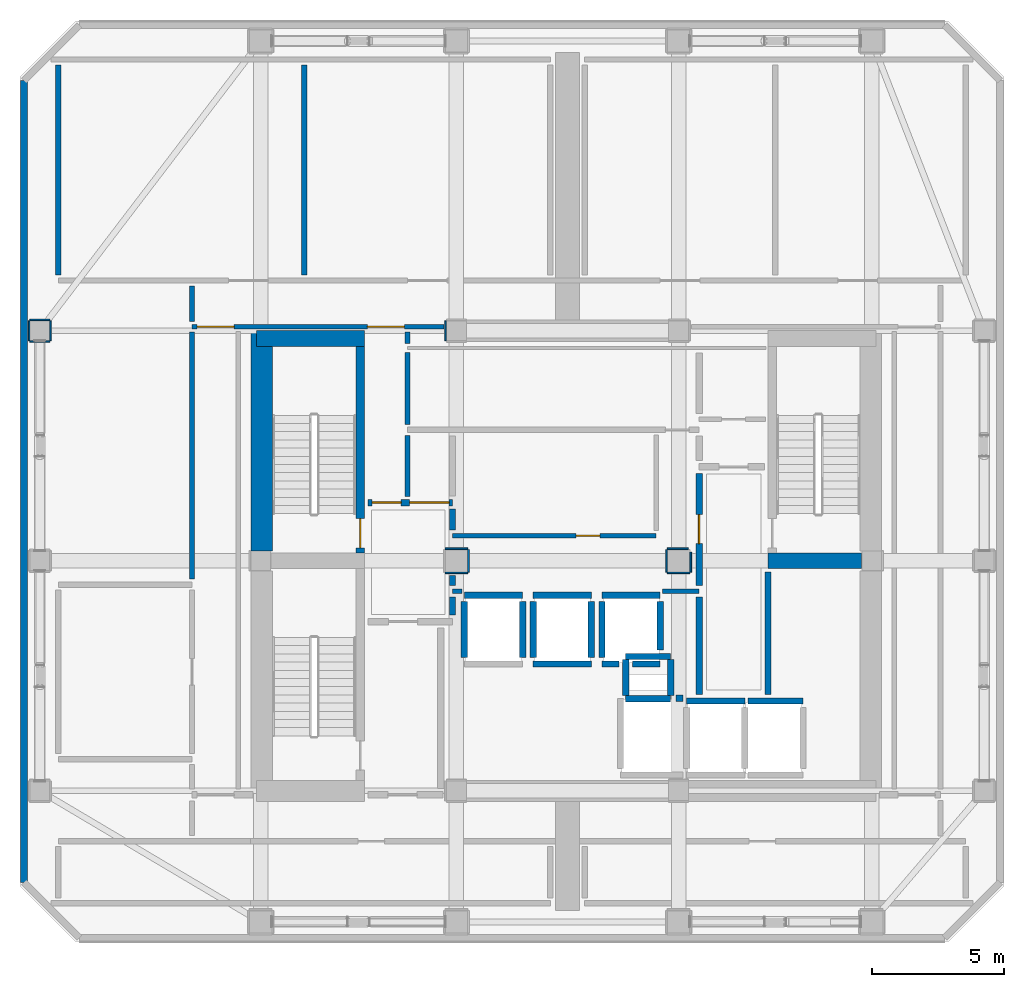
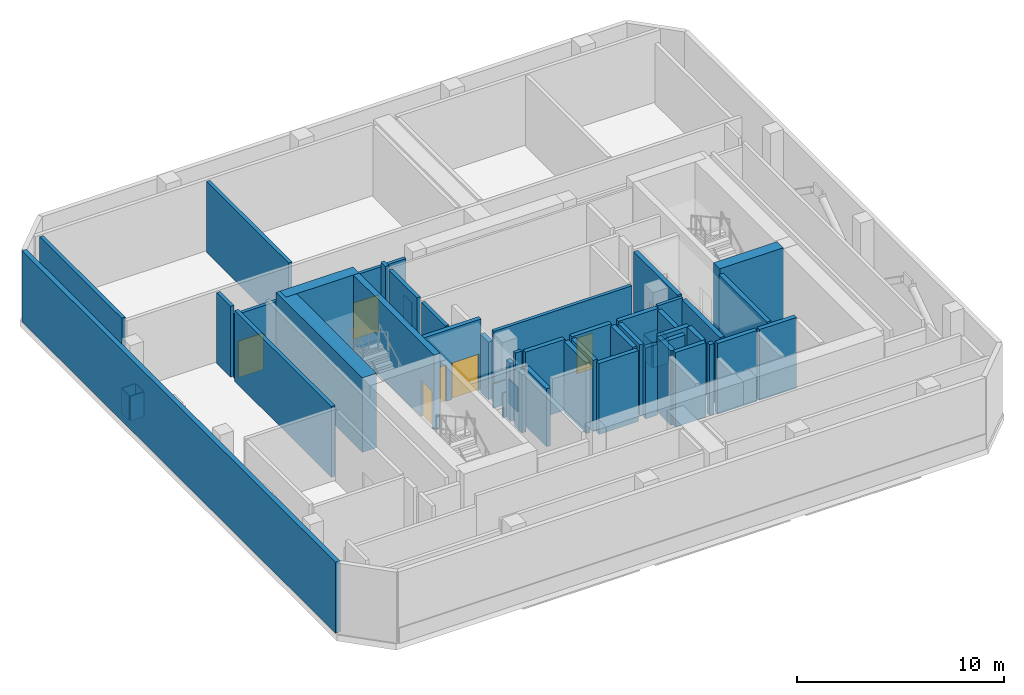
# One storey, part 9 of 13: 54 walls, 7 doors, 7 openings.
"""IFC4 building model written with IfcOpenShell, lengths in metres."""

from ifc_helpers import new_model, si_unit, direction, frame, frame_2d, origin, place, context, subcontext, project, spatial, rectangle, extrude, material, layer, layer_set, type_object, element, fill, save


model = new_model("IFC4")

# Units and contexts
model_context = context("Model", 3, precision=1e-05, world=origin(), true_north=direction((0.0, 1.0)))
body_context = subcontext(model_context, "Body", "Model", "MODEL_VIEW")
ifc_project = project(units=[si_unit("LENGTHUNIT", "METRE"), si_unit("AREAUNIT", "SQUARE_METRE"), si_unit("VOLUMEUNIT", "CUBIC_METRE"), si_unit("PLANEANGLEUNIT", "RADIAN"), si_unit("MASSUNIT", "GRAM", prefix="KILO")], contexts=[model_context])

# Site, building, storey
site_placement = place(None, origin())
site = spatial("IfcSite", under=ifc_project, at=site_placement, CompositionType="ELEMENT")
building_placement = place(site_placement, origin())
building = spatial("IfcBuilding", under=site, at=building_placement, Name="Solanera Arch Residences", CompositionType="ELEMENT")
storey_placement = place(building_placement, frame((0.0, 0.0, 257.840087890625)))
storey = spatial("IfcBuildingStorey", under=building, at=storey_placement, Name="L75", CompositionType="ELEMENT", Elevation=257.840087890625)

# Walls
ifc_material_1 = material(Name="Fire-Rated Gypsum Stud Partition", Category="gypsum")
ifc_layer_1 = layer(ifc_material_1, 0.06005859375)
ifc_layer_set_1 = layer_set([ifc_layer_1], Name="Fire-Rated Gypsum Stud Partition")
wall_type_1 = type_object("IfcWallType", Name="Column Acoustic Furring Wall 60", PredefinedType="PARTITIONING", material=ifc_layer_set_1)
wall_1_placement = place(storey_placement, frame((20.39306640625, 39.02490234375, 0.0), z_axis=(0.0, 0.0, 1.0), x_axis=(0.0, 1.0, 0.0)))
element("IfcWall", 1, at=wall_1_placement, inside=storey, type_object=wall_type_1, Name="L75 Column Furring 3W", PredefinedType="PARTITIONING", context=body_context, shape_type="SweptSolid", body=[
    extrude(rectangle(XDim=0.75, YDim=0.06005859375, at=frame_2d((0.375, 0.0))), origin(), (0.0, 0.0, 1.0), 1.449951171875),
])
for number, where, z_axis, x_axis, name in (
    (2, (20.375, 30.242919921875, 0.0), (0.0, 0.0, 1.0), (1.0, 0.0, 0.0), "L75 Column Furring 7S"),
    (3, (20.375, 31.156982421875, 0.0), (0.0, 0.0, 1.0), (1.0, 0.0, 0.0), "L75 Column Furring 7N"),
    (4, (21.257080078125, 30.27490234375, 0.0), (0.0, 0.0, 1.0), (0.0, 1.0, 0.0), "L75 Column Furring 7E"),
    (5, (28.77490234375, 30.242919921875, 0.0), (0.0, 0.0, 1.0), (1.0, 0.0, 0.0), "L75 Column Furring 8S"),
):
    element("IfcWall", number, at=place(storey_placement, frame(where, z_axis=z_axis, x_axis=x_axis)), inside=storey, type_object=wall_type_1, Name=name, PredefinedType="PARTITIONING", context=body_context, shape_type="SweptSolid", body=[
        extrude(rectangle(XDim=0.85009765625, YDim=0.06005859375, at=frame_2d((0.425048828125, 0.0))), origin(), (0.0, 0.0, 1.0), 1.449951171875),
    ])
wall_2_placement = place(storey_placement, frame((28.77490234375, 31.156982421875, 0.0), z_axis=(0.0, 0.0, 1.0), x_axis=(1.0, 0.0, 0.0)))
element("IfcWall", 6, at=wall_2_placement, inside=storey, type_object=wall_type_1, Name="L75 Column Furring 8N", PredefinedType="PARTITIONING", context=body_context, shape_type="SweptSolid", body=[
    extrude(rectangle(XDim=0.794189453125, YDim=0.06005859375, at=frame_2d((0.39697265625, 0.0))), origin(), (0.0, 0.0, 1.0), 1.449951171875),
])
wall_3_placement = place(storey_placement, frame((28.742919921875, 30.27490234375, 0.0), z_axis=(0.0, 0.0, 1.0), x_axis=(0.0, 1.0, 0.0)))
element("IfcWall", 7, at=wall_3_placement, inside=storey, type_object=wall_type_1, Name="L75 Column Furring 8W", PredefinedType="PARTITIONING", context=body_context, shape_type="SweptSolid", body=[
    extrude(rectangle(XDim=0.85009765625, YDim=0.06005859375, at=frame_2d((0.425048828125, 0.0))), origin(), (0.0, 0.0, 1.0), 1.449951171875),
])
wall_4_placement = place(storey_placement, frame((29.656982421875, 30.27490234375, 0.0), z_axis=(0.0, 0.0, 1.0), x_axis=(0.0, 1.0, 0.0)))
element("IfcWall", 8, at=wall_4_placement, inside=storey, type_object=wall_type_1, Name="L75 Column Furring 8E", PredefinedType="PARTITIONING", context=body_context, shape_type="SweptSolid", body=[
    extrude(rectangle(XDim=0.757080078125, YDim=0.06005859375, at=frame_2d((0.37841796875, 0.0))), origin(), (0.0, 0.0, 1.0), 1.449951171875),
])
for number, where, z_axis, x_axis, name in (
    (9, (4.675048828125, 38.992919921875, 0.0), (0.0, 0.0, 1.0), (1.0, 0.0, 0.0), "L75 Column Furring 21S"),
    (10, (4.675048828125, 39.806884765625, 0.0), (0.0, 0.0, 1.0), (1.0, 0.0, 0.0), "L75 Column Furring 21N"),
    (11, (4.64306640625, 39.02490234375, 0.0), (0.0, 0.0, 1.0), (0.0, 1.0, 0.0), "L75 Column Furring 21W"),
    (12, (5.45703125, 39.02490234375, 0.0), (0.0, 0.0, 1.0), (0.0, 1.0, 0.0), "L75 Column Furring 21E"),
):
    element("IfcWall", number, at=place(storey_placement, frame(where, z_axis=z_axis, x_axis=x_axis)), inside=storey, type_object=wall_type_1, Name=name, PredefinedType="PARTITIONING", context=body_context, shape_type="SweptSolid", body=[
        extrude(rectangle(XDim=0.75, YDim=0.06005859375, at=frame_2d((0.375, 0.0))), origin(), (0.0, 0.0, 1.0), 1.449951171875),
    ])

# Wall, opening, door
ifc_material_2 = material(Name="Concrete C40/50 (f'c = 45 MPa)", Category="concrete")
ifc_layer_2 = layer(ifc_material_2, 0.320068359375)
ifc_layer_set_2 = layer_set([ifc_layer_2], Name="Concrete C40/50 (f'c = 45 MPa)")
wall_type_2 = type_object("IfcWallType", Name="Core Shear Wall CW-320", PredefinedType="SHEAR", material=ifc_layer_set_2)
wall_5_placement = place(storey_placement, frame((17.159912109375, 31.0, 0.0), z_axis=(0.0, 0.0, 1.0), x_axis=(0.0, 1.0, 0.0)))
wall_5 = element("IfcWall", 13, at=wall_5_placement, inside=storey, type_object=wall_type_2, Name="L75 Stair ST-T1 East Shear Wall", PredefinedType="SHEAR", context=body_context, shape_type="SweptSolid", body=[
    extrude(rectangle(XDim=7.800048828125, YDim=0.320068359375, at=frame_2d((3.89990234375, 0.0))), origin(), (0.0, 0.0, 1.0), 4.39990234375),
])
opening_1_placement = place(wall_5_placement, frame((0.18994140625, 0.0, 0.0)))
opening_1 = element("IfcOpeningElement", 14, at=opening_1_placement, cuts=wall_5, Name="Opening DF-01", PredefinedType="OPENING", context=body_context, shape_type="SweptSolid", body=[
    extrude(rectangle(XDim=1.10009765625, YDim=2.14990234375, at=frame_2d((0.550048828125, 1.074951171875))), frame((0.0, 0.169921875, 0.0), z_axis=(0.0, -1.0, 0.0), x_axis=(1.0, 0.0, 0.0)), (0.0, 0.0, 1.0), 0.3401),
])
ifc_material_3 = material(Name="Fire-Rated Architectural Hardwood", Category="wood")
door_type_1 = type_object("IfcDoorType", Name="Stair Exit Fire Door DF-01", OperationType="NOTDEFINED", PredefinedType="DOOR", material=ifc_material_3)
door_1_placement = place(opening_1_placement, origin())
door_1 = element("IfcDoor", 15, at=door_1_placement, inside=storey, type_object=door_type_1, Name="DR-L75-STAIR-ST-T1", OperationType="SINGLE_SWING_LEFT", OverallHeight=2.14990234375, OverallWidth=1.10009765625, PredefinedType="DOOR", context=body_context, shape_type="SweptSolid", body=[
    extrude(rectangle(XDim=1.10009765625, YDim=2.14990234375, at=frame_2d((0.550048828125, 1.074951171875))), frame((0.0, 0.02490234375, 0.0), z_axis=(0.0, -1.0, 0.0), x_axis=(1.0, 0.0, 0.0)), (0.0, 0.0, 1.0), 0.050048828125),
])
fill(opening_1, door_1)

# Walls
ifc_material_4 = material(Name="Concrete C40/50 (f'c = 45 MPa)", Category="concrete")
ifc_layer_3 = layer(ifc_material_4, 0.60009765625)
ifc_layer_set_3 = layer_set([ifc_layer_3], Name="Concrete C40/50 (f'c = 45 MPa)")
wall_type_3 = type_object("IfcWallType", Name="Core Shear Wall CW-600", PredefinedType="SHEAR", material=ifc_layer_set_3)
wall_6_placement = place(storey_placement, frame((13.239990234375, 39.10009765625, 0.0), z_axis=(0.0, 0.0, 1.0), x_axis=(1.0, 0.0, 0.0)))
element("IfcWall", 16, at=wall_6_placement, inside=storey, type_object=wall_type_3, Name="L75 North-West Core Shear Wall", PredefinedType="SHEAR", context=body_context, shape_type="SweptSolid", body=[
    extrude(rectangle(XDim=4.080078125, YDim=0.60009765625, at=frame_2d((2.0400390625, 0.0))), origin(), (0.0, 0.0, 1.0), 4.39990234375),
])
wall_7_placement = place(storey_placement, frame((32.580078125, 30.699951171875, 0.0), z_axis=(0.0, 0.0, 1.0), x_axis=(1.0, 0.0, 0.0)))
element("IfcWall", 17, at=wall_7_placement, inside=storey, type_object=wall_type_3, Name="L75 East Stair Far-Landing Shear Wall", PredefinedType="SHEAR", context=body_context, shape_type="SweptSolid", body=[
    extrude(rectangle(XDim=3.5400390625, YDim=0.60009765625, at=frame_2d((1.77001953125, 0.0))), origin(), (0.0, 0.0, 1.0), 4.39990234375),
])
ifc_material_5 = material(Name="Concrete C40/50 (f'c = 45 MPa)", Category="concrete")
ifc_layer_4 = layer(ifc_material_5, 0.800048828125)
ifc_layer_set_4 = layer_set([ifc_layer_4], Name="Concrete C40/50 (f'c = 45 MPa)")
wall_type_4 = type_object("IfcWallType", Name="Core Shear Wall CW-800", PredefinedType="SHEAR", material=ifc_layer_set_4)
wall_8_placement = place(storey_placement, frame((13.43994140625, 31.080078125, 0.0), z_axis=(0.0, 0.0, 1.0), x_axis=(0.0, 1.0, 0.0)))
element("IfcWall", 18, at=wall_8_placement, inside=storey, type_object=wall_type_4, Name="L75 West Core North Shear Wall", PredefinedType="SHEAR", context=body_context, shape_type="SweptSolid", body=[
    extrude(rectangle(XDim=8.31982421875, YDim=0.800048828125, at=frame_2d((4.159912109375, 0.0))), origin(), (0.0, 0.0, 1.0), 4.39990234375),
])
ifc_material_6 = material(Name="Autoclaved Aerated Concrete Blockwork", Category="masonry")
ifc_layer_5 = layer(ifc_material_6, 0.179931640625)
ifc_layer_set_5 = layer_set([ifc_layer_5], Name="Autoclaved Aerated Concrete Blockwork")
wall_type_5 = type_object("IfcWallType", Name="Corridor Fire Partition 180", PredefinedType="PARTITIONING", material=ifc_layer_set_5)
wall_9_placement = place(storey_placement, frame((20.64990234375, 29.550048828125, 0.0), z_axis=(0.0, 0.0, 1.0), x_axis=(1.0, 0.0, 0.0)))
element("IfcWall", 19, at=wall_9_placement, inside=storey, type_object=wall_type_5, Name="L75 Interior Partition H15 1", PredefinedType="PARTITIONING", context=body_context, shape_type="SweptSolid", body=[
    extrude(rectangle(XDim=0.357177734375, YDim=0.179931640625, at=frame_2d((0.1787109375, 0.0))), origin(), (0.0, 0.0, 1.0), 4.179931640625),
])
wall_10_placement = place(storey_placement, frame((28.593017578125, 29.550048828125, 0.0), z_axis=(0.0, 0.0, 1.0), x_axis=(1.0, 0.0, 0.0)))
element("IfcWall", 20, at=wall_10_placement, inside=storey, type_object=wall_type_5, Name="L75 Interior Partition H15 2", PredefinedType="PARTITIONING", context=body_context, shape_type="SweptSolid", body=[
    extrude(rectangle(XDim=1.382080078125, YDim=0.179931640625, at=frame_2d((0.69091796875, 0.0))), origin(), (0.0, 0.0, 1.0), 4.179931640625),
])

# Wall, opening, door
wall_11_placement = place(storey_placement, frame((20.64990234375, 31.64990234375, 0.0), z_axis=(0.0, 0.0, 1.0), x_axis=(1.0, 0.0, 0.0)))
wall_11 = element("IfcWall", 21, at=wall_11_placement, inside=storey, type_object=wall_type_5, Name="L75 Interior Partition H16", PredefinedType="PARTITIONING", context=body_context, shape_type="SweptSolid", body=[
    extrude(rectangle(XDim=7.7001953125, YDim=0.179931640625, at=frame_2d((3.85009765625, 0.0))), origin(), (0.0, 0.0, 1.0), 4.179931640625),
])
opening_2_placement = place(wall_11_placement, frame((4.673095703125, 0.0, 0.0)))
opening_2 = element("IfcOpeningElement", 22, at=opening_2_placement, cuts=wall_11, Name="Opening DI-02", PredefinedType="OPENING", context=body_context, shape_type="SweptSolid", body=[
    extrude(rectangle(XDim=0.89990234375, YDim=2.10009765625, at=frame_2d((0.449951171875, 1.050048828125))), frame((0.0, 0.10009765625, 0.0), z_axis=(0.0, -1.0, 0.0), x_axis=(1.0, 0.0, 0.0)), (0.0, 0.0, 1.0), 0.1999),
])
ifc_material_7 = material(Name="Fire-Rated Architectural Hardwood", Category="wood")
door_type_2 = type_object("IfcDoorType", Name="Suite Room Swing Door DI-02", OperationType="NOTDEFINED", PredefinedType="DOOR", material=ifc_material_7)
door_2_placement = place(opening_2_placement, origin())
door_2 = element("IfcDoor", 23, at=door_2_placement, inside=storey, type_object=door_type_2, Name="DR-L75-IN-017", OperationType="SINGLE_SWING_LEFT", OverallHeight=2.10009765625, OverallWidth=0.89990234375, PredefinedType="DOOR", context=body_context, shape_type="SweptSolid", body=[
    extrude(rectangle(XDim=0.89990234375, YDim=2.10009765625, at=frame_2d((0.449951171875, 1.050048828125))), frame((0.0, 0.02490234375, 0.0), z_axis=(0.0, -1.0, 0.0), x_axis=(1.0, 0.0, 0.0)), (0.0, 0.0, 1.0), 0.050048828125),
])
fill(opening_2, door_2)

# Wall, openings, doors
wall_12_placement = place(storey_placement, frame((10.800048828125, 39.550048828125, 0.0), z_axis=(0.0, 0.0, 1.0), x_axis=(1.0, 0.0, 0.0)))
wall_12 = element("IfcWall", 24, at=wall_12_placement, inside=storey, type_object=wall_type_5, Name="L75 Interior Partition H18 1", PredefinedType="PARTITIONING", context=body_context, shape_type="SweptSolid", body=[
    extrude(rectangle(XDim=9.52294921875, YDim=0.179931640625, at=frame_2d((4.761474609375, 0.0))), origin(), (0.0, 0.0, 1.0), 3.806884765625),
])
opening_3_placement = place(wall_12_placement, frame((6.635009765625, 0.0, 0.0)))
opening_3 = element("IfcOpeningElement", 25, at=opening_3_placement, cuts=wall_12, Name="Opening DF-03", PredefinedType="OPENING", context=body_context, shape_type="SweptSolid", body=[
    extrude(rectangle(XDim=1.39990234375, YDim=2.14990234375, at=frame_2d((0.699951171875, 1.074951171875))), frame((0.0, 0.10009765625, 0.0), z_axis=(0.0, -1.0, 0.0), x_axis=(1.0, 0.0, 0.0)), (0.0, 0.0, 1.0), 0.1999),
])
opening_4_placement = place(wall_12_placement, frame((0.198974609375, 0.0, 0.0)))
opening_4 = element("IfcOpeningElement", 26, at=opening_4_placement, cuts=wall_12, Name="Opening DF-03", PredefinedType="OPENING", context=body_context, shape_type="SweptSolid", body=[
    extrude(rectangle(XDim=1.39990234375, YDim=2.14990234375, at=frame_2d((0.699951171875, 1.074951171875))), frame((0.0, 0.10009765625, 0.0), z_axis=(0.0, -1.0, 0.0), x_axis=(1.0, 0.0, 0.0)), (0.0, 0.0, 1.0), 0.1999),
])
ifc_material_8 = material(Name="Fire-Rated Architectural Hardwood", Category="wood")
door_type_3 = type_object("IfcDoorType", Name="Corridor Smoke Door DF-03", OperationType="NOTDEFINED", PredefinedType="DOOR", material=ifc_material_8)
door_3_placement = place(opening_3_placement, origin())
door_3 = element("IfcDoor", 27, at=door_3_placement, inside=storey, type_object=door_type_3, Name="DR-L75-IN-009", OperationType="SINGLE_SWING_LEFT", OverallHeight=2.14990234375, OverallWidth=1.39990234375, PredefinedType="DOOR", context=body_context, shape_type="SweptSolid", body=[
    extrude(rectangle(XDim=1.39990234375, YDim=2.14990234375, at=frame_2d((0.699951171875, 1.074951171875))), frame((0.0, 0.02490234375, 0.0), z_axis=(0.0, -1.0, 0.0), x_axis=(1.0, 0.0, 0.0)), (0.0, 0.0, 1.0), 0.050048828125),
])
fill(opening_3, door_3)
door_4_placement = place(opening_4_placement, origin())
door_4 = element("IfcDoor", 28, at=door_4_placement, inside=storey, type_object=door_type_3, Name="DR-L75-IN-012", OperationType="SINGLE_SWING_RIGHT", OverallHeight=2.14990234375, OverallWidth=1.39990234375, PredefinedType="DOOR", context=body_context, shape_type="SweptSolid", body=[
    extrude(rectangle(XDim=1.39990234375, YDim=2.14990234375, at=frame_2d((0.699951171875, 1.074951171875))), frame((0.0, 0.02490234375, 0.0), z_axis=(0.0, -1.0, 0.0), x_axis=(1.0, 0.0, 0.0)), (0.0, 0.0, 1.0), 0.050048828125),
])
fill(opening_4, door_4)

# Walls
ifc_material_9 = material(Name="Precast Concrete C35/45", Category="concrete")
ifc_layer_6 = layer(ifc_material_9, 0.260009765625)
ifc_layer_set_6 = layer_set([ifc_layer_6], Name="Precast Concrete C35/45")
wall_type_6 = type_object("IfcWallType", Name="Exterior Wall Precast Masonry-Frame 260", PredefinedType="STANDARD", material=ifc_layer_set_6)
wall_13_placement = place(storey_placement, frame((4.445068359375, 18.544921875, 0.0), z_axis=(0.0, 0.0, 1.0), x_axis=(0.0, 1.0, 0.0)))
element("IfcWall", 29, at=wall_13_placement, inside=storey, type_object=wall_type_6, Name="L75 Tower Exterior Precast Masonry-Frame Wall W", PredefinedType="STANDARD", context=body_context, shape_type="SweptSolid", body=[
    extrude(rectangle(XDim=30.31005859375, YDim=0.260009765625, at=frame_2d((15.155029296875, 0.0))), origin(), (0.0, 0.0, 1.0), 4.179931640625),
])
ifc_material_10 = material(Name="Autoclaved Aerated Concrete Blockwork", Category="masonry")
ifc_layer_7 = layer(ifc_material_10, 0.199951171875)
ifc_layer_set_7 = layer_set([ifc_layer_7], Name="Autoclaved Aerated Concrete Blockwork")
wall_type_7 = type_object("IfcWallType", Name="Party Wall Acoustic 200", PredefinedType="PARTITIONING", material=ifc_layer_set_7)
wall_14_placement = place(storey_placement, frame((5.75, 41.508056640625, 0.0), z_axis=(0.0, 0.0, 1.0), x_axis=(0.0, 1.0, 0.0)))
element("IfcWall", 30, at=wall_14_placement, inside=storey, type_object=wall_type_7, Name="L75 Interior Partition V8", PredefinedType="PARTITIONING", context=body_context, shape_type="SweptSolid", body=[
    extrude(rectangle(XDim=7.933837890625, YDim=0.199951171875, at=frame_2d((3.966796875, 0.0))), origin(), (0.0, 0.0, 1.0), 4.179931640625),
])
wall_15_placement = place(storey_placement, frame((10.800048828125, 30.008056640625, 0.0), z_axis=(0.0, 0.0, 1.0), x_axis=(0.0, 1.0, 0.0)))
element("IfcWall", 31, at=wall_15_placement, inside=storey, type_object=wall_type_7, Name="L75 Interior Partition V9 4", PredefinedType="PARTITIONING", context=body_context, shape_type="SweptSolid", body=[
    extrude(rectangle(XDim=9.343994140625, YDim=0.199951171875, at=frame_2d((4.671875, 0.0))), origin(), (0.0, 0.0, 1.0), 4.179931640625),
])
wall_16_placement = place(storey_placement, frame((10.800048828125, 39.748046875, 0.0), z_axis=(0.0, 0.0, 1.0), x_axis=(0.0, 1.0, 0.0)))
element("IfcWall", 32, at=wall_16_placement, inside=storey, type_object=wall_type_7, Name="L75 Interior Partition V9 5", PredefinedType="PARTITIONING", context=body_context, shape_type="SweptSolid", body=[
    extrude(rectangle(XDim=1.343994140625, YDim=0.199951171875, at=frame_2d((0.671875, 0.0))), origin(), (0.0, 0.0, 1.0), 4.179931640625),
])
wall_17_placement = place(storey_placement, frame((15.050048828125, 41.508056640625, 0.0), z_axis=(0.0, 0.0, 1.0), x_axis=(0.0, 1.0, 0.0)))
element("IfcWall", 33, at=wall_17_placement, inside=storey, type_object=wall_type_7, Name="L75 Interior Partition V10", PredefinedType="PARTITIONING", context=body_context, shape_type="SweptSolid", body=[
    extrude(rectangle(XDim=7.933837890625, YDim=0.199951171875, at=frame_2d((3.966796875, 0.0))), origin(), (0.0, 0.0, 1.0), 4.179931640625),
])
wall_18_placement = place(storey_placement, frame((18.949951171875, 33.1279296875, 0.0), z_axis=(0.0, 0.0, 1.0), x_axis=(0.0, 1.0, 0.0)))
element("IfcWall", 34, at=wall_18_placement, inside=storey, type_object=wall_type_7, Name="L75 Interior Partition V11 1", PredefinedType="PARTITIONING", context=body_context, shape_type="SweptSolid", body=[
    extrude(rectangle(XDim=2.31396484375, YDim=0.199951171875, at=frame_2d((1.156982421875, 0.0))), origin(), (0.0, 0.0, 1.0), 4.179931640625),
])
wall_19_placement = place(storey_placement, frame((18.949951171875, 35.85791015625, 0.0), z_axis=(0.0, 0.0, 1.0), x_axis=(0.0, 1.0, 0.0)))
element("IfcWall", 35, at=wall_19_placement, inside=storey, type_object=wall_type_7, Name="L75 Interior Partition V11 2", PredefinedType="PARTITIONING", context=body_context, shape_type="SweptSolid", body=[
    extrude(rectangle(XDim=2.72412109375, YDim=0.199951171875, at=frame_2d((1.362060546875, 0.0))), origin(), (0.0, 0.0, 1.0), 4.179931640625),
])
wall_20_placement = place(storey_placement, frame((18.949951171875, 38.91796875, 0.0), z_axis=(0.0, 0.0, 1.0), x_axis=(0.0, 1.0, 0.0)))
element("IfcWall", 36, at=wall_20_placement, inside=storey, type_object=wall_type_7, Name="L75 Interior Partition V11 3", PredefinedType="PARTITIONING", context=body_context, shape_type="SweptSolid", body=[
    extrude(rectangle(XDim=0.43408203125, YDim=0.199951171875, at=frame_2d((0.217041015625, 0.0))), origin(), (0.0, 0.0, 1.0), 4.179931640625),
])
ifc_material_11 = material(Name="Concrete C40/50 (f'c = 45 MPa)", Category="concrete")
ifc_layer_8 = layer(ifc_material_11, 0.239990234375)
ifc_layer_set_8 = layer_set([ifc_layer_8], Name="Concrete C40/50 (f'c = 45 MPa)")
wall_type_8 = type_object("IfcWallType", Name="Ramp Bearing Shear Wall RW-240", PredefinedType="SHEAR", material=ifc_layer_set_8)
for number, where, z_axis, x_axis, name in (
    (37, (27.199951171875, 25.47998046875, 0.0), (0.0, 0.0, 1.0), (1.0, 0.0, 0.0), "L75 Core MEP Riser South Shaft Wall"),
    (38, (27.199951171875, 27.080078125, 0.0), (0.0, 0.0, 1.0), (1.0, 0.0, 0.0), "L75 Core MEP Riser North Shaft Wall"),
):
    element("IfcWall", number, at=place(storey_placement, frame(where, z_axis=z_axis, x_axis=x_axis)), inside=storey, type_object=wall_type_8, Name=name, PredefinedType="SHEAR", context=body_context, shape_type="SweptSolid", body=[
        extrude(rectangle(XDim=1.699951171875, YDim=0.239990234375, at=frame_2d((0.85009765625, 0.0))), origin(), (0.0, 0.0, 1.0), 4.39990234375),
    ])
for number, where, z_axis, x_axis, name in (
    (39, (27.199951171875, 25.60009765625, 0.0), (0.0, 0.0, 1.0), (0.0, 1.0, 0.0), "L75 Core MEP Riser West Shaft Wall"),
    (40, (28.89990234375, 25.60009765625, 0.0), (0.0, 0.0, 1.0), (0.0, 1.0, 0.0), "L75 Core MEP Riser East Shaft Wall"),
):
    element("IfcWall", number, at=place(storey_placement, frame(where, z_axis=z_axis, x_axis=x_axis)), inside=storey, type_object=wall_type_8, Name=name, PredefinedType="SHEAR", context=body_context, shape_type="SweptSolid", body=[
        extrude(rectangle(XDim=1.35986328125, YDim=0.239990234375, at=frame_2d((0.679931640625, 0.0))), origin(), (0.0, 0.0, 1.0), 4.39990234375),
    ])
ifc_material_12 = material(Name="Autoclaved Aerated Concrete Blockwork", Category="masonry")
ifc_layer_9 = layer(ifc_material_12, 0.239990234375)
ifc_layer_set_9 = layer_set([ifc_layer_9], Name="Autoclaved Aerated Concrete Blockwork")
wall_type_9 = type_object("IfcWallType", Name="Shaft Wall Fire-Rated 240", PredefinedType="PARTITIONING", material=ifc_layer_set_9)
wall_21_placement = place(storey_placement, frame((21.10009765625, 29.39990234375, 0.0), z_axis=(0.0, 0.0, 1.0), x_axis=(1.0, 0.0, 0.0)))
element("IfcWall", 41, at=wall_21_placement, inside=storey, type_object=wall_type_9, Name="L75 Lift PL-H1 Hoistway Wall N", PredefinedType="PARTITIONING", context=body_context, shape_type="SweptSolid", body=[
    extrude(rectangle(XDim=2.199951171875, YDim=0.239990234375, at=frame_2d((1.10009765625, 0.0))), origin(), (0.0, 0.0, 1.0), 4.179931640625),
])
wall_22_placement = place(storey_placement, frame((21.10009765625, 27.048095703125, 0.0), z_axis=(0.0, 0.0, 1.0), x_axis=(0.0, 1.0, 0.0)))
element("IfcWall", 42, at=wall_22_placement, inside=storey, type_object=wall_type_9, Name="L75 Lift PL-H1 Hoistway Wall W", PredefinedType="PARTITIONING", context=body_context, shape_type="SweptSolid", body=[
    extrude(rectangle(XDim=2.10400390625, YDim=0.239990234375, at=frame_2d((1.052001953125, 0.0))), origin(), (0.0, 0.0, 1.0), 3.414794921875),
])
wall_23_placement = place(storey_placement, frame((23.300048828125, 27.048095703125, 0.0), z_axis=(0.0, 0.0, 1.0), x_axis=(0.0, 1.0, 0.0)))
element("IfcWall", 43, at=wall_23_placement, inside=storey, type_object=wall_type_9, Name="L75 Lift PL-H1 Hoistway Wall E", PredefinedType="PARTITIONING", context=body_context, shape_type="SweptSolid", body=[
    extrude(rectangle(XDim=2.10400390625, YDim=0.239990234375, at=frame_2d((1.052001953125, 0.0))), origin(), (0.0, 0.0, 1.0), 4.179931640625),
])
for number, where, z_axis, x_axis, name in (
    (44, (23.699951171875, 26.800048828125, 0.0), (0.0, 0.0, 1.0), (1.0, 0.0, 0.0), "L75 Lift PL-H2 Hoistway Wall S"),
    (45, (23.699951171875, 29.39990234375, 0.0), (0.0, 0.0, 1.0), (1.0, 0.0, 0.0), "L75 Lift PL-H2 Hoistway Wall N"),
):
    element("IfcWall", number, at=place(storey_placement, frame(where, z_axis=z_axis, x_axis=x_axis)), inside=storey, type_object=wall_type_9, Name=name, PredefinedType="PARTITIONING", context=body_context, shape_type="SweptSolid", body=[
        extrude(rectangle(XDim=2.199951171875, YDim=0.239990234375, at=frame_2d((1.10009765625, 0.0))), origin(), (0.0, 0.0, 1.0), 4.179931640625),
    ])
for number, where, z_axis, x_axis, name in (
    (46, (23.699951171875, 27.048095703125, 0.0), (0.0, 0.0, 1.0), (0.0, 1.0, 0.0), "L75 Lift PL-H2 Hoistway Wall W"),
    (47, (25.89990234375, 27.048095703125, 0.0), (0.0, 0.0, 1.0), (0.0, 1.0, 0.0), "L75 Lift PL-H2 Hoistway Wall E"),
):
    element("IfcWall", number, at=place(storey_placement, frame(where, z_axis=z_axis, x_axis=x_axis)), inside=storey, type_object=wall_type_9, Name=name, PredefinedType="PARTITIONING", context=body_context, shape_type="SweptSolid", body=[
        extrude(rectangle(XDim=2.10400390625, YDim=0.239990234375, at=frame_2d((1.052001953125, 0.0))), origin(), (0.0, 0.0, 1.0), 4.179931640625),
    ])
wall_24_placement = place(storey_placement, frame((26.300048828125, 26.800048828125, 0.0), z_axis=(0.0, 0.0, 1.0), x_axis=(1.0, 0.0, 0.0)))
element("IfcWall", 48, at=wall_24_placement, inside=storey, type_object=wall_type_9, Name="L75 Lift PL-H3 Hoistway Wall S 1", PredefinedType="PARTITIONING", context=body_context, shape_type="SweptSolid", body=[
    extrude(rectangle(XDim=0.64990234375, YDim=0.239990234375, at=frame_2d((0.324951171875, 0.0))), origin(), (0.0, 0.0, 1.0), 4.179931640625),
])
wall_25_placement = place(storey_placement, frame((27.449951171875, 26.800048828125, 0.0), z_axis=(0.0, 0.0, 1.0), x_axis=(1.0, 0.0, 0.0)))
element("IfcWall", 49, at=wall_25_placement, inside=storey, type_object=wall_type_9, Name="L75 Lift PL-H3 Hoistway Wall S 2", PredefinedType="PARTITIONING", context=body_context, shape_type="SweptSolid", body=[
    extrude(rectangle(XDim=1.050048828125, YDim=0.239990234375, at=frame_2d((0.52490234375, 0.0))), origin(), (0.0, 0.0, 1.0), 4.179931640625),
])
wall_26_placement = place(storey_placement, frame((26.300048828125, 29.39990234375, 0.0), z_axis=(0.0, 0.0, 1.0), x_axis=(1.0, 0.0, 0.0)))
element("IfcWall", 50, at=wall_26_placement, inside=storey, type_object=wall_type_9, Name="L75 Lift PL-H3 Hoistway Wall N", PredefinedType="PARTITIONING", context=body_context, shape_type="SweptSolid", body=[
    extrude(rectangle(XDim=2.199951171875, YDim=0.239990234375, at=frame_2d((1.10009765625, 0.0))), origin(), (0.0, 0.0, 1.0), 4.179931640625),
])
wall_27_placement = place(storey_placement, frame((26.300048828125, 27.048095703125, 0.0), z_axis=(0.0, 0.0, 1.0), x_axis=(0.0, 1.0, 0.0)))
element("IfcWall", 51, at=wall_27_placement, inside=storey, type_object=wall_type_9, Name="L75 Lift PL-H3 Hoistway Wall W", PredefinedType="PARTITIONING", context=body_context, shape_type="SweptSolid", body=[
    extrude(rectangle(XDim=2.10400390625, YDim=0.239990234375, at=frame_2d((1.052001953125, 0.0))), origin(), (0.0, 0.0, 1.0), 4.179931640625),
])
wall_28_placement = place(storey_placement, frame((28.5, 27.330078125, 0.0), z_axis=(0.0, 0.0, 1.0), x_axis=(0.0, 1.0, 0.0)))
element("IfcWall", 52, at=wall_28_placement, inside=storey, type_object=wall_type_9, Name="L75 Lift PL-H3 Hoistway Wall E", PredefinedType="PARTITIONING", context=body_context, shape_type="SweptSolid", body=[
    extrude(rectangle(XDim=1.822021484375, YDim=0.239990234375, at=frame_2d((0.9111328125, 0.0))), origin(), (0.0, 0.0, 1.0), 4.179931640625),
])
wall_29_placement = place(storey_placement, frame((29.5, 25.39990234375, 0.0), z_axis=(0.0, 0.0, 1.0), x_axis=(1.0, 0.0, 0.0)))
element("IfcWall", 53, at=wall_29_placement, inside=storey, type_object=wall_type_9, Name="L75 Lift FFL-1 Hoistway Wall N", PredefinedType="PARTITIONING", context=body_context, shape_type="SweptSolid", body=[
    extrude(rectangle(XDim=2.199951171875, YDim=0.239990234375, at=frame_2d((1.10009765625, 0.0))), origin(), (0.0, 0.0, 1.0), 4.179931640625),
])
wall_30_placement = place(storey_placement, frame((31.827880859375, 25.39990234375, 0.0), z_axis=(0.0, 0.0, 1.0), x_axis=(1.0, 0.0, 0.0)))
element("IfcWall", 54, at=wall_30_placement, inside=storey, type_object=wall_type_9, Name="L75 Lift FFL-2 Hoistway Wall N", PredefinedType="PARTITIONING", context=body_context, shape_type="SweptSolid", body=[
    extrude(rectangle(XDim=2.072021484375, YDim=0.239990234375, at=frame_2d((1.0361328125, 0.0))), origin(), (0.0, 0.0, 1.0), 4.179931640625),
])
wall_31_placement = place(storey_placement, frame((29.10302734375, 25.5, 0.0), z_axis=(0.0, 0.0, 1.0), x_axis=(1.0, 0.0, 0.0)))
element("IfcWall", 55, at=wall_31_placement, inside=storey, type_object=wall_type_9, Name="L75 Lift SVL-1 Hoistway Wall N", PredefinedType="PARTITIONING", context=body_context, shape_type="SweptSolid", body=[
    extrude(rectangle(XDim=0.26904296875, YDim=0.239990234375, at=frame_2d((0.134521484375, 0.0))), origin(), (0.0, 0.0, 1.0), 4.179931640625),
])

# Wall, openings, doors
wall_32_placement = place(storey_placement, frame((17.449951171875, 32.89990234375, 0.0), z_axis=(0.0, 0.0, 1.0), x_axis=(1.0, 0.0, 0.0)))
wall_32 = element("IfcWall", 56, at=wall_32_placement, inside=storey, type_object=wall_type_9, Name="L75 Interior Partition H4", PredefinedType="PARTITIONING", context=body_context, shape_type="SweptSolid", body=[
    extrude(rectangle(XDim=3.199951171875, YDim=0.239990234375, at=frame_2d((1.60009765625, 0.0))), origin(), (0.0, 0.0, 1.0), 4.179931640625),
])
opening_5_placement = place(wall_32_placement, frame((0.158935546875, 0.0, 0.0)))
opening_5 = element("IfcOpeningElement", 57, at=opening_5_placement, cuts=wall_32, Name="Opening DF-02", PredefinedType="OPENING", context=body_context, shape_type="SweptSolid", body=[
    extrude(rectangle(XDim=1.10009765625, YDim=2.14990234375, at=frame_2d((0.550048828125, 1.074951171875))), frame((0.0, 0.1298828125, 0.0), z_axis=(0.0, -1.0, 0.0), x_axis=(1.0, 0.0, 0.0)), (0.0, 0.0, 1.0), 0.26),
])
opening_6_placement = place(wall_32_placement, frame((1.575927734375, 0.0, 0.0)))
opening_6 = element("IfcOpeningElement", 58, at=opening_6_placement, cuts=wall_32, Name="Opening DP-01", PredefinedType="OPENING", context=body_context, shape_type="SweptSolid", body=[
    extrude(rectangle(XDim=1.5, YDim=2.14990234375, at=frame_2d((0.75, 1.074951171875))), frame((0.0, 0.1298828125, 0.0), z_axis=(0.0, -1.0, 0.0), x_axis=(1.0, 0.0, 0.0)), (0.0, 0.0, 1.0), 0.26),
])
ifc_material_13 = material(Name="Fire-Rated Architectural Hardwood", Category="wood")
door_type_4 = type_object("IfcDoorType", Name="Firefighting Lobby Fire Door DF-02", OperationType="NOTDEFINED", PredefinedType="DOOR", material=ifc_material_13)
door_5_placement = place(opening_5_placement, origin())
door_5 = element("IfcDoor", 59, at=door_5_placement, inside=storey, type_object=door_type_4, Name="DR-L75-IN-005", OperationType="SINGLE_SWING_LEFT", OverallHeight=2.14990234375, OverallWidth=1.10009765625, PredefinedType="DOOR", context=body_context, shape_type="SweptSolid", body=[
    extrude(rectangle(XDim=1.10009765625, YDim=2.14990234375, at=frame_2d((0.550048828125, 1.074951171875))), frame((0.0, 0.02490234375, 0.0), z_axis=(0.0, -1.0, 0.0), x_axis=(1.0, 0.0, 0.0)), (0.0, 0.0, 1.0), 0.050048828125),
])
fill(opening_5, door_5)
ifc_material_14 = material(Name="Fire-Rated Architectural Hardwood", Category="wood")
door_type_5 = type_object("IfcDoorType", Name="Plant Double Fire Door DP-01", OperationType="NOTDEFINED", PredefinedType="DOOR", material=ifc_material_14)
door_6_placement = place(opening_6_placement, origin())
door_6 = element("IfcDoor", 60, at=door_6_placement, inside=storey, type_object=door_type_5, Name="DR-L75-IN-014", OperationType="SINGLE_SWING_RIGHT", OverallHeight=2.14990234375, OverallWidth=1.5, PredefinedType="DOOR", context=body_context, shape_type="SweptSolid", body=[
    extrude(rectangle(XDim=1.5, YDim=2.14990234375, at=frame_2d((0.75, 1.074951171875))), frame((0.0, 0.02490234375, 0.0), z_axis=(0.0, -1.0, 0.0), x_axis=(1.0, 0.0, 0.0)), (0.0, 0.0, 1.0), 0.050048828125),
])
fill(opening_6, door_6)

# Walls
wall_33_placement = place(storey_placement, frame((20.64990234375, 28.64794921875, 0.0), z_axis=(0.0, 0.0, 1.0), x_axis=(0.0, 1.0, 0.0)))
element("IfcWall", 61, at=wall_33_placement, inside=storey, type_object=wall_type_9, Name="L75 Interior Partition V3 1", PredefinedType="PARTITIONING", context=body_context, shape_type="SweptSolid", body=[
    extrude(rectangle(XDim=0.68408203125, YDim=0.239990234375, at=frame_2d((0.342041015625, 0.0))), origin(), (0.0, 0.0, 1.0), 3.414794921875),
])
wall_34_placement = place(storey_placement, frame((20.64990234375, 29.76806640625, 0.0), z_axis=(0.0, 0.0, 1.0), x_axis=(0.0, 1.0, 0.0)))
element("IfcWall", 62, at=wall_34_placement, inside=storey, type_object=wall_type_9, Name="L75 Interior Partition V3 2", PredefinedType="PARTITIONING", context=body_context, shape_type="SweptSolid", body=[
    extrude(rectangle(XDim=0.375, YDim=0.239990234375, at=frame_2d((0.1875, 0.0))), origin(), (0.0, 0.0, 1.0), 3.414794921875),
])
wall_35_placement = place(storey_placement, frame((20.64990234375, 31.867919921875, 0.0), z_axis=(0.0, 0.0, 1.0), x_axis=(0.0, 1.0, 0.0)))
element("IfcWall", 63, at=wall_35_placement, inside=storey, type_object=wall_type_9, Name="L75 Interior Partition V3 3", PredefinedType="PARTITIONING", context=body_context, shape_type="SweptSolid", body=[
    extrude(rectangle(XDim=0.7841796875, YDim=0.239990234375, at=frame_2d((0.39208984375, 0.0))), origin(), (0.0, 0.0, 1.0), 3.414794921875),
])
wall_36_placement = place(storey_placement, frame((29.97509765625, 25.64794921875, 0.0), z_axis=(0.0, 0.0, 1.0), x_axis=(0.0, 1.0, 0.0)))
element("IfcWall", 64, at=wall_36_placement, inside=storey, type_object=wall_type_9, Name="L75 Interior Partition V4 1", PredefinedType="PARTITIONING", context=body_context, shape_type="SweptSolid", body=[
    extrude(rectangle(XDim=3.68408203125, YDim=0.239990234375, at=frame_2d((1.842041015625, 0.0))), origin(), (0.0, 0.0, 1.0), 4.179931640625),
])

# Wall, opening, door
wall_37_placement = place(storey_placement, frame((29.97509765625, 29.76806640625, 0.0), z_axis=(0.0, 0.0, 1.0), x_axis=(0.0, 1.0, 0.0)))
wall_37 = element("IfcWall", 65, at=wall_37_placement, inside=storey, type_object=wall_type_9, Name="L75 Interior Partition V4 2", PredefinedType="PARTITIONING", context=body_context, shape_type="SweptSolid", body=[
    extrude(rectangle(XDim=4.23388671875, YDim=0.239990234375, at=frame_2d((2.116943359375, 0.0))), origin(), (0.0, 0.0, 1.0), 4.179931640625),
])
opening_7_placement = place(wall_37_placement, frame((1.58203125, 0.0, 0.0)))
opening_7 = element("IfcOpeningElement", 66, at=opening_7_placement, cuts=wall_37, Name="Opening DF-02", PredefinedType="OPENING", context=body_context, shape_type="SweptSolid", body=[
    extrude(rectangle(XDim=1.10009765625, YDim=2.14990234375, at=frame_2d((0.550048828125, 1.074951171875))), frame((0.0, 0.1298828125, 0.0), z_axis=(0.0, -1.0, 0.0), x_axis=(1.0, 0.0, 0.0)), (0.0, 0.0, 1.0), 0.26),
])
door_7_placement = place(opening_7_placement, origin())
door_7 = element("IfcDoor", 67, at=door_7_placement, inside=storey, type_object=door_type_4, Name="DR-L75-IN-006", OperationType="SINGLE_SWING_RIGHT", OverallHeight=2.14990234375, OverallWidth=1.10009765625, PredefinedType="DOOR", context=body_context, shape_type="SweptSolid", body=[
    extrude(rectangle(XDim=1.10009765625, YDim=2.14990234375, at=frame_2d((0.550048828125, 1.074951171875))), frame((0.0, 0.02490234375, 0.0), z_axis=(0.0, -1.0, 0.0), x_axis=(1.0, 0.0, 0.0)), (0.0, 0.0, 1.0), 0.050048828125),
])
fill(opening_7, door_7)

# Wall
wall_38_placement = place(storey_placement, frame((32.580078125, 25.64794921875, 0.0), z_axis=(0.0, 0.0, 1.0), x_axis=(0.0, 1.0, 0.0)))
element("IfcWall", 68, at=wall_38_placement, inside=storey, type_object=wall_type_9, Name="L75 Interior Partition V5", PredefinedType="PARTITIONING", context=body_context, shape_type="SweptSolid", body=[
    extrude(rectangle(XDim=4.6220703125, YDim=0.239990234375, at=frame_2d((2.31103515625, 0.0))), origin(), (0.0, 0.0, 1.0), 4.179931640625),
])

save(model, "model.ifc")
